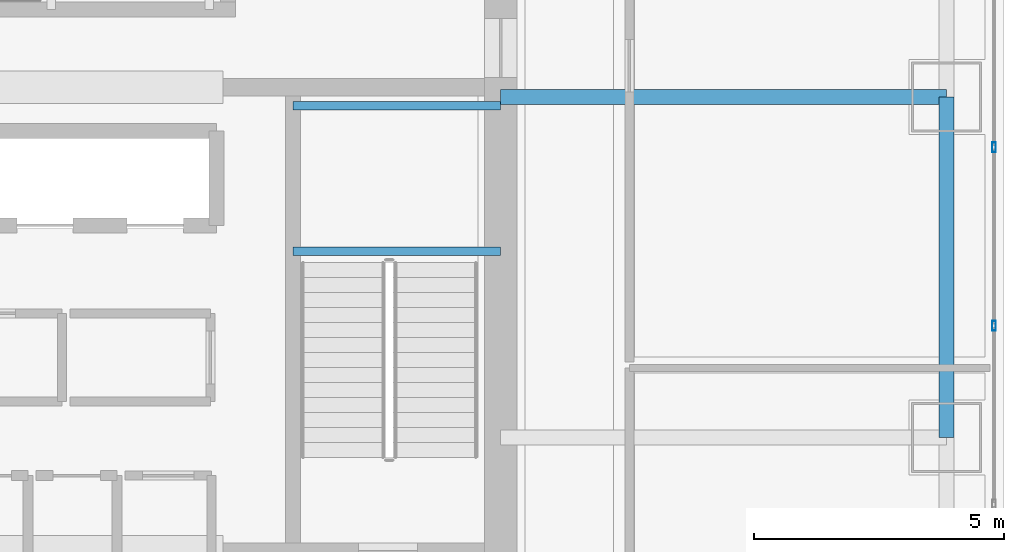
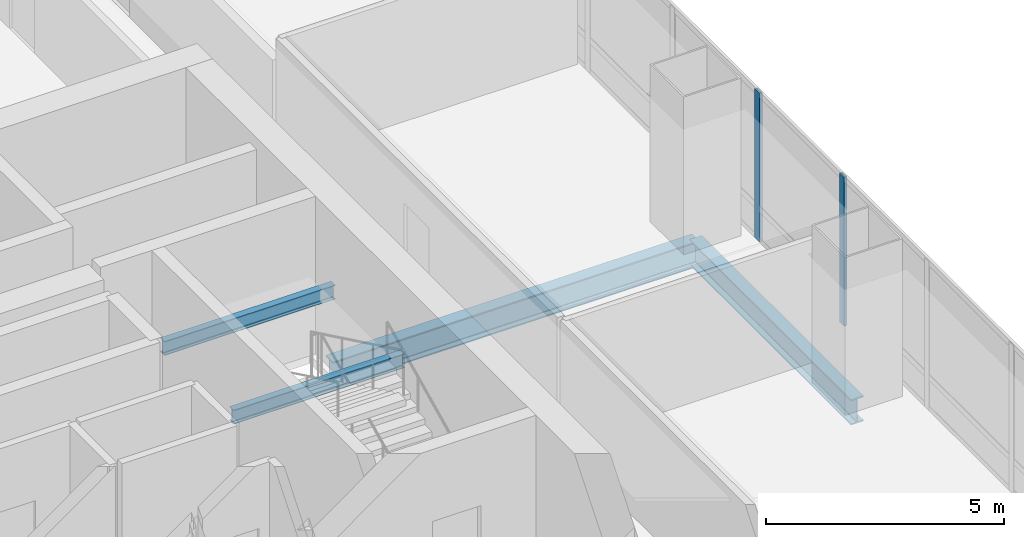
# One storey, part 16 of 38: 4 beams, 2 members, 1 element without a shape of its own.
"""IFC4 building model written with IfcOpenShell, lengths in metres."""

from ifc_helpers import new_model, si_unit, direction, frame, origin, origin_2d, place, context, subcontext, project, spatial, hollow_rectangle, i_section, extrude, material, material_profile, profile_set, type_object, element, aggregate, save


model = new_model("IFC4")

# Units and contexts
model_context = context("Model", 3, precision=1e-05, world=origin(), true_north=direction((0.0, 1.0)))
body_context = subcontext(model_context, "Body", "Model", "MODEL_VIEW")
ifc_project = project(units=[si_unit("LENGTHUNIT", "METRE"), si_unit("AREAUNIT", "SQUARE_METRE"), si_unit("VOLUMEUNIT", "CUBIC_METRE"), si_unit("PLANEANGLEUNIT", "RADIAN"), si_unit("MASSUNIT", "GRAM", prefix="KILO")], contexts=[model_context])

# Site, building, storey
site_placement = place(None, origin())
site = spatial("IfcSite", under=ifc_project, at=site_placement, CompositionType="ELEMENT")
building_placement = place(site_placement, origin())
building = spatial("IfcBuilding", under=site, at=building_placement, Name="Punatoya Terracotta Tower", CompositionType="ELEMENT")
storey_placement = place(building_placement, frame((0.0, 0.0, 151.949951171875)))
storey = spatial("IfcBuildingStorey", under=building, at=storey_placement, Name="L35", CompositionType="ELEMENT", Elevation=151.949951171875)

# Beams
ifc_material_1 = material(Name="Steel S355", Category="steel")
ifc_material_profile_1 = material_profile(ifc_material_1, i_section(OverallWidth=0.300048828125, OverallDepth=0.64990234375, WebThickness=0.01611328125, FlangeThickness=0.031005859375, FilletRadius=0.01806640625, at=origin_2d()))
ifc_profile_set_1 = profile_set([ifc_material_profile_1], Name="Steel S355")
beam_type_1 = type_object("IfcBeamType", Name="BM-PRI-650", PredefinedType="BEAM", material=ifc_profile_set_1)
beam_1_placement = place(storey_placement, frame((19.10009765625, -3.39990234375, -0.544921875), z_axis=(0.0, 1.0, 0.0), x_axis=(-1.0, 0.0, 0.0)))
element("IfcBeam", 1, at=beam_1_placement, inside=storey, type_object=beam_type_1, Name="BM-L35-RG-E2", PredefinedType="BEAM", context=body_context, shape_type="SweptSolid", body=[
    extrude(i_section(OverallWidth=0.300048828125, OverallDepth=0.64990234375, WebThickness=0.01611328125, FlangeThickness=0.031005859375, FilletRadius=0.01806640625, at=origin_2d()), origin(), (0.0, 0.0, 1.0), 6.7998046875),
])
beam_2_placement = place(storey_placement, frame((10.199951171875, 3.39990234375, -0.544921875), z_axis=(1.0, 0.0, 0.0), x_axis=(0.0, 1.0, 0.0)))
element("IfcBeam", 2, at=beam_2_placement, inside=storey, type_object=beam_type_1, Name="BM-L35-PR-EE", PredefinedType="BEAM", context=body_context, shape_type="SweptSolid", body=[
    extrude(i_section(OverallWidth=0.300048828125, OverallDepth=0.64990234375, WebThickness=0.01611328125, FlangeThickness=0.031005859375, FilletRadius=0.01806640625, at=origin_2d()), origin(), (0.0, 0.0, 1.0), 8.900146484375),
])
ifc_material_profile_2 = material_profile(ifc_material_1, i_section(OverallWidth=0.169921875, OverallDepth=0.360107421875, WebThickness=0.008056640625, FlangeThickness=0.0126953125, FilletRadius=0.01806640625, at=origin_2d()))
ifc_profile_set_2 = profile_set([ifc_material_profile_2], Name="Steel S355")
beam_type_2 = type_object("IfcBeamType", Name="BM-SEC-360", PredefinedType="JOIST", material=ifc_profile_set_2)
for number, where, z_axis, x_axis, name in (
    (3, (6.050048828125, 0.320068359375, 1.64501953125), (1.0, 0.0, 0.0), (0.0, 1.0, 0.0), "BM-L35-ST-2-LD1A"),
    (4, (6.050048828125, 3.22998046875, 1.64501953125), (1.0, 0.0, 0.0), (0.0, 1.0, 0.0), "BM-L35-ST-2-LD1B"),
):
    element("IfcBeam", number, at=place(storey_placement, frame(where, z_axis=z_axis, x_axis=x_axis)), inside=storey, type_object=beam_type_2, Name=name, PredefinedType="JOIST", context=body_context, shape_type="SweptSolid", body=[
        extrude(i_section(OverallWidth=0.169921875, OverallDepth=0.360107421875, WebThickness=0.008056640625, FlangeThickness=0.0126953125, FilletRadius=0.01806640625, at=origin_2d()), origin(), (0.0, 0.0, 1.0), 4.14990234375),
    ])

# Curtain wall, members
ifc_material_2 = material(Name="Aluminium 6063-T6 + Double Low-E Glass", Category="aluminium")
curtain_wall_type = type_object("IfcCurtainWallType", Name="CW-M2", PredefinedType="NOTDEFINED", material=ifc_material_2)
curtain_wall_placement = place(storey_placement, origin())
curtain_wall = element("IfcCurtainWall", 5, at=curtain_wall_placement, inside=storey, type_object=curtain_wall_type, Name="L35 Curtain Wall CW-L35-E05-1", PredefinedType="NOTDEFINED")
ifc_material_3 = material(Name="Aluminium 6063-T6", Category="aluminium")
ifc_material_profile_3 = material_profile(ifc_material_3, hollow_rectangle(XDim=0.072021484375, YDim=0.195068359375, WallThickness=0.00439453125, at=origin_2d()))
ifc_profile_set_3 = profile_set([ifc_material_profile_3], Name="Aluminium 6063-T6")
member_type = type_object("IfcMemberType", Name="CW-MUL-M2", PredefinedType="MULLION", material=ifc_profile_set_3)
member_1_placement = place(storey_placement, frame((20.050048828125, -1.16748046875, 0.0), z_axis=(0.0, 0.0, 1.0), x_axis=(1.0, 0.0, 0.0)))
member_1 = element("IfcMember", 6, at=member_1_placement, type_object=member_type, Name="CW-L35-E05-1 Mullion 04", PredefinedType="MULLION", context=body_context, shape_type="SweptSolid", body=[
    extrude(hollow_rectangle(XDim=0.072021484375, YDim=0.195068359375, WallThickness=0.00439453125, at=origin_2d()), origin(), (0.0, 0.0, 1.0), 3.830078125),
])
member_2_placement = place(storey_placement, frame((20.050048828125, 2.39990234375, 0.0), z_axis=(0.0, 0.0, 1.0), x_axis=(1.0, 0.0, 0.0)))
member_2 = element("IfcMember", 7, at=member_2_placement, type_object=member_type, Name="CW-L35-E05-1 Mullion 05", PredefinedType="MULLION", context=body_context, shape_type="SweptSolid", body=[
    extrude(hollow_rectangle(XDim=0.072021484375, YDim=0.195068359375, WallThickness=0.00439453125, at=origin_2d()), origin(), (0.0, 0.0, 1.0), 3.830078125),
])
aggregate(curtain_wall, [member_1, member_2])

save(model, "model.ifc")
